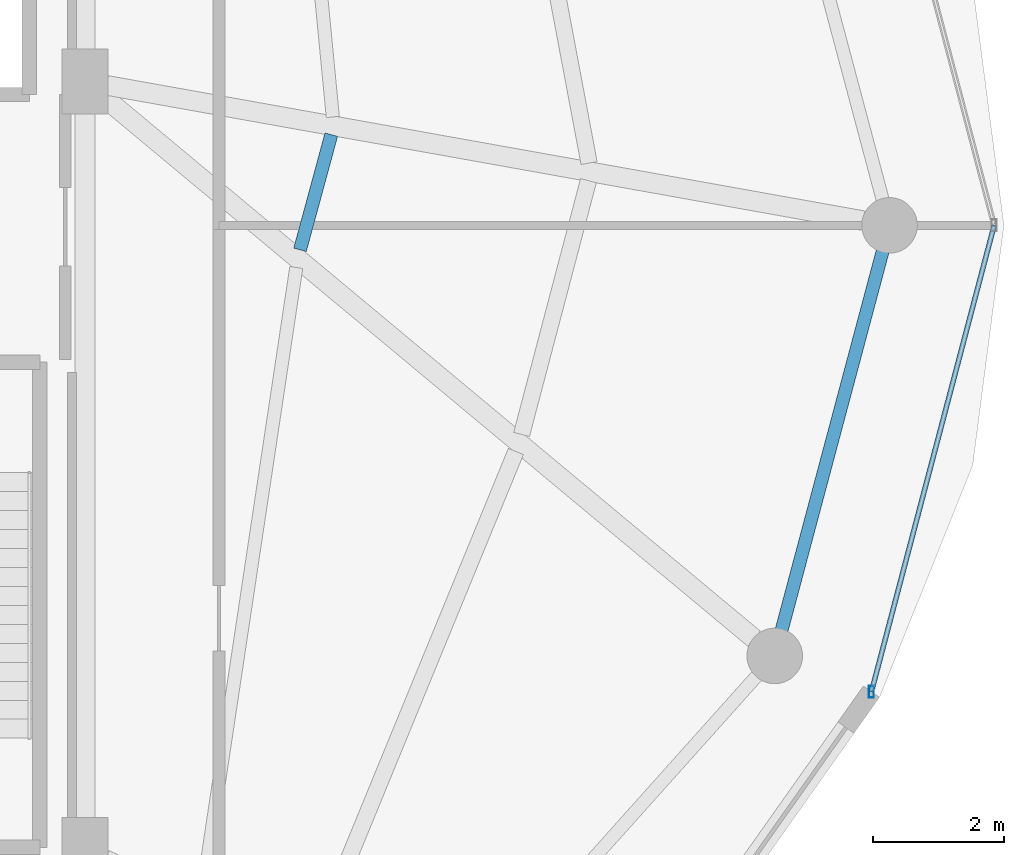
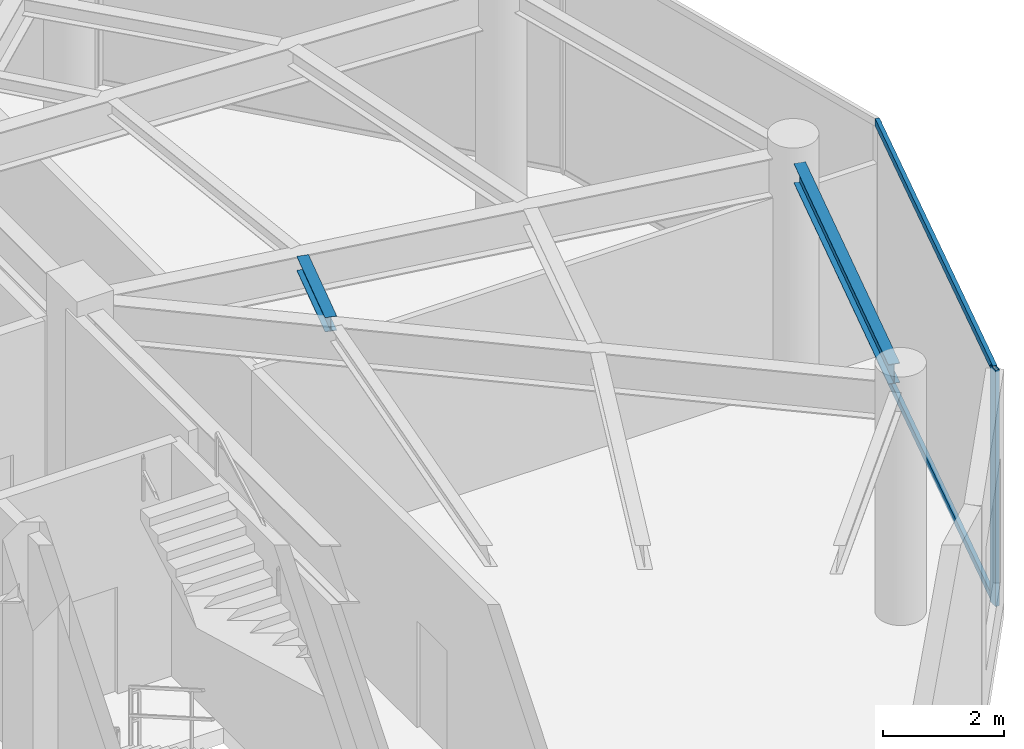
# One storey, part 13 of 24: 3 members, 2 beams, 1 element without a shape of its own.
"""IFC4 building model written with IfcOpenShell, lengths in metres."""

from ifc_helpers import new_model, si_unit, direction, frame, origin, origin_2d, place, context, subcontext, project, spatial, hollow_rectangle, i_section, extrude, material, material_profile, profile_set, type_object, element, aggregate, save


model = new_model("IFC4")

# Units and contexts
model_context = context("Model", 3, precision=1e-05, world=origin(), true_north=direction((0.0, 1.0)))
body_context = subcontext(model_context, "Body", "Model", "MODEL_VIEW")
ifc_project = project(units=[si_unit("LENGTHUNIT", "METRE"), si_unit("AREAUNIT", "SQUARE_METRE"), si_unit("VOLUMEUNIT", "CUBIC_METRE"), si_unit("PLANEANGLEUNIT", "RADIAN"), si_unit("MASSUNIT", "GRAM", prefix="KILO")], contexts=[model_context])

# Site, building, storey
site_placement = place(None, origin())
site = spatial("IfcSite", under=ifc_project, at=site_placement, CompositionType="ELEMENT")
building_placement = place(site_placement, origin())
building = spatial("IfcBuilding", under=site, at=building_placement, Name="Vorneva Point Tower", CompositionType="ELEMENT")
storey_placement = place(building_placement, frame((0.0, 0.0, 285.39990234375)))
storey = spatial("IfcBuildingStorey", under=building, at=storey_placement, Name="L77", CompositionType="ELEMENT", Elevation=285.39990234375)

# Beams
ifc_material_1 = material(Name="Steel S355", Category="steel")
ifc_material_profile_1 = material_profile(ifc_material_1, i_section(OverallWidth=0.199951171875, OverallDepth=0.291015625, WebThickness=0.008056640625, FlangeThickness=0.010986328125, at=origin_2d()), Name="30Sh1")
ifc_profile_set_1 = profile_set([ifc_material_profile_1], Name="Steel S355")
beam_type_1 = type_object("IfcBeamType", Name="BM-SEC-30Sh1", PredefinedType="BEAM", material=ifc_profile_set_1)
beam_1_placement = place(storey_placement, frame((52.03759765625, 25.62548828125, 4.544677734375), z_axis=(0.262189126288, 0.965016508696, 0.0), x_axis=(-0.965016508696, 0.262189126288, 0.0)))
element("IfcBeam", 1, at=beam_1_placement, inside=storey, type_object=beam_type_1, Name="L77 Secondary Floor Beam 2.16", PredefinedType="BEAM", context=body_context, shape_type="SweptSolid", body=[
    extrude(i_section(OverallWidth=0.199951171875, OverallDepth=0.291015625, WebThickness=0.008056640625, FlangeThickness=0.010986328125, at=origin_2d()), origin(), (0.0, 0.0, 1.0), 1.8251953125),
])
ifc_material_profile_2 = material_profile(ifc_material_1, i_section(OverallWidth=0.198974609375, OverallDepth=0.39599609375, WebThickness=0.007080078125, FlangeThickness=0.010986328125, at=origin_2d()), Name="40B1")
ifc_profile_set_2 = profile_set([ifc_material_profile_2], Name="Steel S355")
beam_type_2 = type_object("IfcBeamType", Name="BM-SPN-40B1", PredefinedType="SPANDREL", material=ifc_profile_set_2)
beam_2_placement = place(storey_placement, frame((59.40087890625, 19.81396484375, 4.4921875), z_axis=(0.257586570866, 0.966255224312, 0.0), x_axis=(-0.966255224312, 0.257586570866, 0.0)))
element("IfcBeam", 2, at=beam_2_placement, inside=storey, type_object=beam_type_2, Name="L77 Perimeter Spandrel Ring Beam 16", PredefinedType="SPANDREL", context=body_context, shape_type="SweptSolid", body=[
    extrude(i_section(OverallWidth=0.198974609375, OverallDepth=0.39599609375, WebThickness=0.007080078125, FlangeThickness=0.010986328125, at=origin_2d()), origin(), (0.0, 0.0, 1.0), 5.991943359375),
])

# Curtain wall, members
ifc_material_2 = material(Name="Pale anodised aluminium", Category="aluminium")
curtain_wall_type = type_object("IfcCurtainWallType", Name="CW-OBS-SYS", PredefinedType="NOTDEFINED", material=ifc_material_2)
curtain_wall_placement = place(storey_placement, origin())
curtain_wall = element("IfcCurtainWall", 3, at=curtain_wall_placement, inside=storey, type_object=curtain_wall_type, Name="L77 Unitised Curtain Wall CW-L77-R01", PredefinedType="NOTDEFINED")
ifc_material_profile_3 = material_profile(ifc_material_2, hollow_rectangle(XDim=0.074951171875, YDim=0.179931640625, WallThickness=0.00390625, at=origin_2d()), Name="AL-MUL 180x75x4")
ifc_profile_set_3 = profile_set([ifc_material_profile_3], Name="Pale anodised aluminium")
member_type_1 = type_object("IfcMemberType", Name="CW-MUL-180", PredefinedType="MULLION", material=ifc_profile_set_3)
member_1_placement = place(storey_placement, frame((60.773681640625, 18.87060546875, -0.039794921875), z_axis=(0.0, 0.0, 1.0), x_axis=(1.0, 0.0, 0.0)))
member_1 = element("IfcMember", 4, at=member_1_placement, type_object=member_type_1, Name="CW-L77-R01 Mullion 01", PredefinedType="MULLION", context=body_context, shape_type="SweptSolid", body=[
    extrude(hollow_rectangle(XDim=0.074951171875, YDim=0.179931640625, WallThickness=0.00390625, at=origin_2d()), origin(), (0.0, 0.0, 1.0), 4.760009765625),
])
ifc_material_profile_4 = material_profile(ifc_material_2, hollow_rectangle(XDim=0.074951171875, YDim=0.14990234375, WallThickness=0.00390625, at=origin_2d()), Name="AL-TRN 150x75x4")
ifc_profile_set_4 = profile_set([ifc_material_profile_4], Name="Pale anodised aluminium")
member_type_2 = type_object("IfcMemberType", Name="CW-TRN-150", PredefinedType="USERDEFINED", material=ifc_profile_set_4)
member_2_placement = place(storey_placement, frame((60.773681640625, 18.87060546875, 0.02001953125), z_axis=(0.254501449741, 0.967072392368, 0.0), x_axis=(-0.967072392368, 0.254501449741, 0.0)))
member_2 = element("IfcMember", 5, at=member_2_placement, type_object=member_type_2, Name="CW-L77-R01 Transom 01.1", ObjectType="TRANSOM", PredefinedType="USERDEFINED", context=body_context, shape_type="SweptSolid", body=[
    extrude(hollow_rectangle(XDim=0.074951171875, YDim=0.14990234375, WallThickness=0.00390625, at=origin_2d()), origin(), (0.0, 0.0, 1.0), 7.3720703125),
])
member_3_placement = place(storey_placement, frame((60.773681640625, 18.87060546875, 4.670166015625), z_axis=(0.254501449741, 0.967072392368, 0.0), x_axis=(-0.967072392368, 0.254501449741, 0.0)))
member_3 = element("IfcMember", 6, at=member_3_placement, type_object=member_type_2, Name="CW-L77-R01 Transom 01.2", ObjectType="TRANSOM", PredefinedType="USERDEFINED", context=body_context, shape_type="SweptSolid", body=[
    extrude(hollow_rectangle(XDim=0.074951171875, YDim=0.14990234375, WallThickness=0.00390625, at=origin_2d()), origin(), (0.0, 0.0, 1.0), 7.3720703125),
])
aggregate(curtain_wall, [member_1, member_2, member_3])

save(model, "model.ifc")
